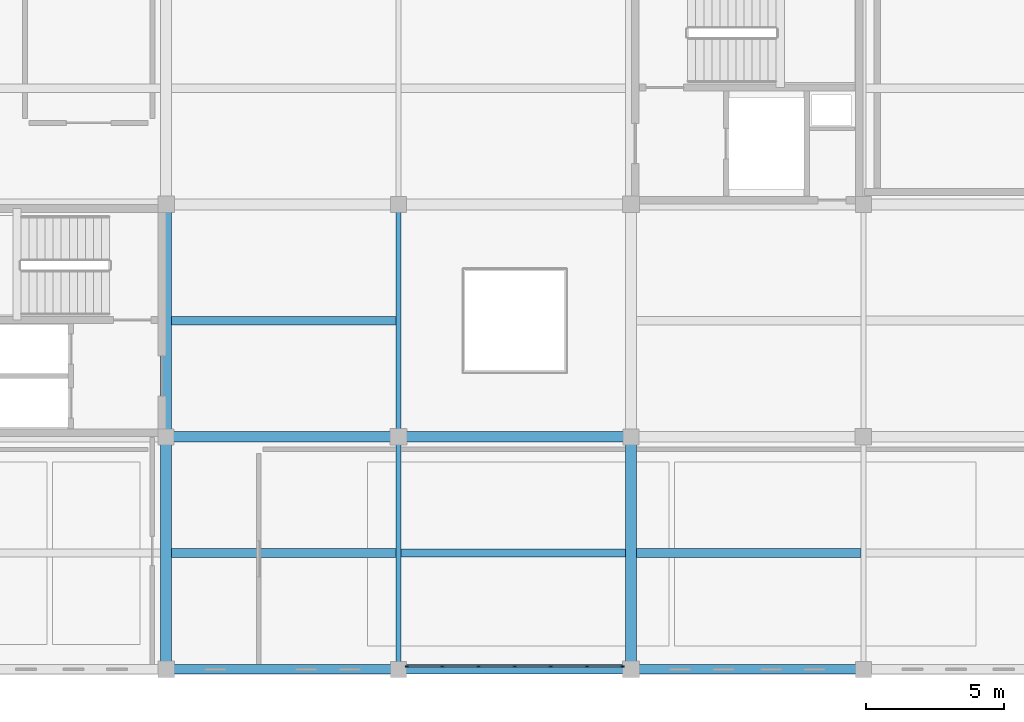
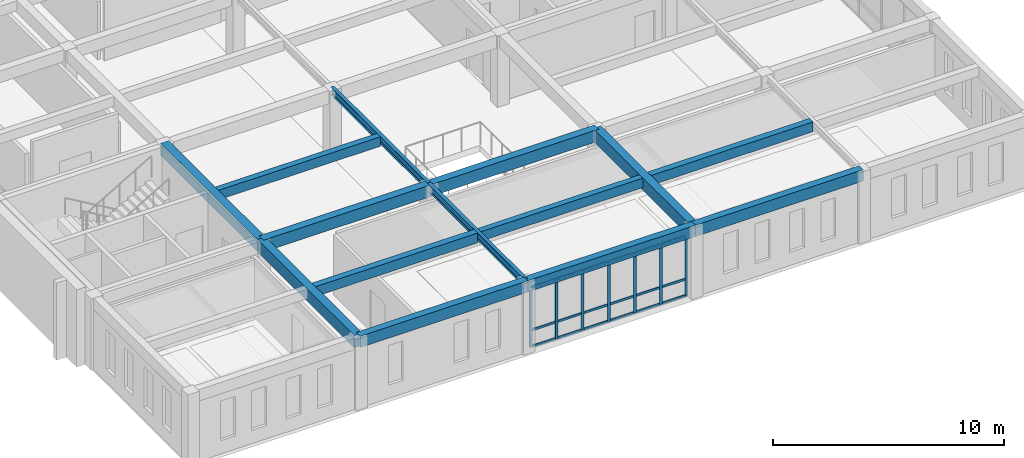
# One storey, part 3 of 56: 25 members, 14 beams, 1 element without a shape of its own.
"""IFC4 building model written with IfcOpenShell, lengths in metres."""

import ifcopenshell
import ifcopenshell.guid

model = None  # the IFC model being written
_history = None  # IfcOwnerHistory: only IFC2X3 demands one
_inside = {}  # id of a spatial element -> (the spatial element, [elements in it])
_under = {}  # id of a project, library or spatial element -> (it, [spatial elements below it])
_declared = {}  # id of a project -> (the project, [libraries it declares])
_typed = {}  # id of a type object -> (the type object, [elements of that type])
_made_of = {}  # id of a material, layer set ... -> (it, [elements and type objects made of it])


def new_model(schema):
    """Start an empty IFC model of exactly this schema.

    Asked for "IFC4X3", IfcOpenShell would pick the latest addendum, in which some entities
    have other attributes; the version numbers below select the first issue.
    IFC2X3 requires an IfcOwnerHistory on every rooted entity: one is made here for all.
    """
    global model, _history
    if schema == "IFC4X3":
        model = ifcopenshell.file(schema_version=(4, 3, 0, 0))
    else:
        model = ifcopenshell.file(schema=schema)
    _inside.clear()
    _under.clear()
    _declared.clear()
    _typed.clear()
    _made_of.clear()
    _history = None
    if model.schema == "IFC2X3":
        org = make("IfcOrganization", Name="unknown")
        user = make(
            "IfcPersonAndOrganization",
            ThePerson=make("IfcPerson", FamilyName="unknown"),
            TheOrganization=org,
        )
        app = make(
            "IfcApplication",
            ApplicationDeveloper=org,
            Version="unknown",
            ApplicationFullName="unknown",
            ApplicationIdentifier="unknown",
        )
        _history = make(
            "IfcOwnerHistory",
            OwningUser=user,
            OwningApplication=app,
            ChangeAction="ADDED",
            CreationDate=0,
        )
    return model


def make(cls, **values):
    """One entity of the class cls with the attributes given. An attribute that is None is left unset."""
    return model.create_entity(
        cls, **{name: value for name, value in values.items() if value is not None}
    )


def rooted(cls, **values):
    """An entity with a GlobalId (a new one), such as an element, a storey or a relation."""
    return make(cls, GlobalId=ifcopenshell.guid.new(), OwnerHistory=_history, **values)


def si_unit(unit_type, name, prefix=None):
    """IfcSIUnit, for example si_unit("LENGTHUNIT", "METRE", prefix="MILLI")."""
    return make("IfcSIUnit", UnitType=unit_type, Prefix=prefix, Name=name)


def assignment(units):
    """IfcUnitAssignment: the units of a project."""
    return None if units is None else make("IfcUnitAssignment", Units=units)


def point(xyz):
    """IfcCartesianPoint."""
    return None if xyz is None else make("IfcCartesianPoint", Coordinates=xyz)


def direction(xyz):
    """IfcDirection."""
    return None if xyz is None else make("IfcDirection", DirectionRatios=xyz)


def frame(location, z_axis=None, x_axis=None):
    """IfcAxis2Placement3D, a coordinate frame: its origin and axes. An axis left out is left unset."""
    return make(
        "IfcAxis2Placement3D",
        Location=point(location),
        Axis=direction(z_axis),
        RefDirection=direction(x_axis),
    )


def frame_2d(location, x_axis=None):
    """IfcAxis2Placement2D, a coordinate frame in the plane: its origin and x axis."""
    return make(
        "IfcAxis2Placement2D", Location=point(location), RefDirection=direction(x_axis)
    )


def origin():
    """The frame at (0, 0, 0) with its axes left unset."""
    return frame((0.0, 0.0, 0.0))


def origin_2d():
    """The frame at (0, 0) in the plane with its x axis left unset."""
    return frame_2d((0.0, 0.0))


def place(relative_to, where):
    """IfcLocalPlacement: puts the frame where relative to a parent placement (None: the world)."""
    return make(
        "IfcLocalPlacement", PlacementRelTo=relative_to, RelativePlacement=where
    )


def context(
    kind, dimensions, precision=None, world=None, true_north=None, identifier=None
):
    """IfcGeometricRepresentationContext, for example the 3D "Model" context."""
    return make(
        "IfcGeometricRepresentationContext",
        ContextIdentifier=identifier,
        ContextType=kind,
        CoordinateSpaceDimension=dimensions,
        Precision=precision,
        WorldCoordinateSystem=world,
        TrueNorth=true_north,
    )


def subcontext(parent, identifier, kind, view, scale=None):
    """IfcGeometricRepresentationSubContext, for example "Body" below "Model"."""
    return make(
        "IfcGeometricRepresentationSubContext",
        ContextIdentifier=identifier,
        ContextType=kind,
        ParentContext=parent,
        TargetScale=scale,
        TargetView=view,
    )


def project(units=None, contexts=None):
    """IfcProject with its units and contexts."""
    return rooted(
        "IfcProject",
        Name="project",
        RepresentationContexts=contexts,
        UnitsInContext=assignment(units),
    )


def spatial(cls, under=None, at=None, **own):
    """A site, building, storey or space (cls), placed at a placement, below another one or the project."""
    s = rooted(cls, ObjectPlacement=at, **own)
    if under is not None:
        _under.setdefault(under.id(), (under, []))[1].append(s)
    return s


def profile(cls, at=None, kind="AREA", **sizes):
    """A parametric profile (cls). Its sizes go by their IFC names, for example OverallWidth=200.0."""
    return make(cls, ProfileType=kind, Position=at, **sizes)


def rectangle(**sizes):
    """IfcRectangleProfileDef."""
    return profile("IfcRectangleProfileDef", **sizes)


def i_section(**sizes):
    """IfcIShapeProfileDef."""
    return profile("IfcIShapeProfileDef", **sizes)


def extrude(swept, where, along, depth):
    """IfcExtrudedAreaSolid: the profile swept, set in the frame where, extruded along a direction by depth."""
    return make(
        "IfcExtrudedAreaSolid",
        SweptArea=swept,
        Position=where,
        ExtrudedDirection=direction(along),
        Depth=depth,
    )


def shape(context_of_items, identifier, shape_type, items):
    """IfcShapeRepresentation: the items that make up one representation, for example the "Body"."""
    return make(
        "IfcShapeRepresentation",
        ContextOfItems=context_of_items,
        RepresentationIdentifier=identifier,
        RepresentationType=shape_type,
        Items=items,
    )


def material(Name=None, Category=None):
    """IfcMaterial."""
    return make("IfcMaterial", Name=Name, Category=Category)


def layer(
    of_material, thickness, ventilated=None, Name=None, Category=None, Priority=None
):
    """IfcMaterialLayer: one layer of a wall or slab, of a material (None: an air gap)."""
    return make(
        "IfcMaterialLayer",
        Material=of_material,
        LayerThickness=thickness,
        IsVentilated=ventilated,
        Name=Name,
        Category=Category,
        Priority=Priority,
    )


def layer_set(layers, Name=None):
    """IfcMaterialLayerSet."""
    return make("IfcMaterialLayerSet", MaterialLayers=layers, LayerSetName=Name)


def material_profile(
    of_material, cross_section, Name=None, Category=None, Priority=None
):
    """IfcMaterialProfile: a cross section and its material."""
    return make(
        "IfcMaterialProfile",
        Name=Name,
        Material=of_material,
        Profile=cross_section,
        Priority=Priority,
        Category=Category,
    )


def profile_set(profiles, Name=None, composite=None):
    """IfcMaterialProfileSet."""
    return make(
        "IfcMaterialProfileSet",
        Name=Name,
        MaterialProfiles=profiles,
        CompositeProfile=composite,
    )


def made_of(thing, what):
    """Note that an element or type object is made of a material, layer set ...; save() writes the relation."""
    if what is not None:
        _made_of.setdefault(what.id(), (what, []))[1].append(thing)
    return thing


def type_object(cls, material=None, **own):
    """A type object (cls), such as IfcWallType, which elements share."""
    return made_of(rooted(cls, **own), material)


def element(
    cls,
    number,
    at=None,
    inside=None,
    cuts=None,
    type_object=None,
    material=None,
    context=None,
    identifier="Body",
    shape_type=None,
    held_by="IfcProductDefinitionShape",
    body=None,
    shapes=None,
    **own,
):
    """One element of the class cls, such as IfcWall. Its Tag is "e" and its number.

    at: its placement. inside: the storey or other place that contains it. cuts: it is an
    opening in that element (IfcRelVoidsElement). A single representation is given by context,
    identifier, shape_type and body (its items); several are given by shapes. held_by: the class
    of the entity that holds the representations. save() writes the other relations.
    """
    e = rooted(cls, Tag="e%d" % number, ObjectPlacement=at, **own)
    if body is not None:
        shapes = [shape(context, identifier, shape_type, body)]
    if shapes is not None:
        e.Representation = make(held_by, Representations=shapes)
    if inside is not None:
        _inside.setdefault(inside.id(), (inside, []))[1].append(e)
    if cuts is not None:
        rooted(
            "IfcRelVoidsElement", RelatingBuildingElement=cuts, RelatedOpeningElement=e
        )
    if type_object is not None:
        _typed.setdefault(type_object.id(), (type_object, []))[1].append(e)
    return made_of(e, material)


def aggregate(whole, parts):
    """IfcRelAggregates: a whole, such as a stair, and the parts it consists of."""
    return rooted("IfcRelAggregates", RelatingObject=whole, RelatedObjects=parts)


def save(model, path):
    """Write the relations noted so far, then the file.

    IfcRelAggregates (storeys below a building ...), IfcRelContainedInSpatialStructure (elements
    in a storey), IfcRelDefinesByType, IfcRelAssociatesMaterial and IfcRelDeclares: one each for
    every whole, place, type object, material and project.
    """
    for whole, parts in _under.values():
        aggregate(whole, parts)
    for where, things in _inside.values():
        rooted(
            "IfcRelContainedInSpatialStructure",
            RelatedElements=things,
            RelatingStructure=where,
        )
    for kind, things in _typed.values():
        rooted("IfcRelDefinesByType", RelatedObjects=things, RelatingType=kind)
    for what, things in _made_of.values():
        rooted("IfcRelAssociatesMaterial", RelatedObjects=things, RelatingMaterial=what)
    for by, libraries in _declared.values():
        rooted("IfcRelDeclares", RelatingContext=by, RelatedDefinitions=libraries)
    model.write(path)


model = new_model("IFC4")

# Units and contexts
model_context = context("Model", 3, precision=1e-05, world=origin(), true_north=direction((0.0, 1.0)))
body_context = subcontext(model_context, "Body", "Model", "MODEL_VIEW")
ifc_project = project(units=[si_unit("LENGTHUNIT", "METRE"), si_unit("AREAUNIT", "SQUARE_METRE"), si_unit("VOLUMEUNIT", "CUBIC_METRE"), si_unit("PLANEANGLEUNIT", "RADIAN"), si_unit("MASSUNIT", "GRAM", prefix="KILO")], contexts=[model_context])

# Site, building, storey
site_placement = place(None, origin())
site = spatial("IfcSite", under=ifc_project, at=site_placement, CompositionType="ELEMENT")
building_placement = place(site_placement, origin())
building = spatial("IfcBuilding", under=site, at=building_placement, Name="Kveldsbrygga Polytechnic", CompositionType="ELEMENT")
storey_placement = place(building_placement, frame((0.0, 0.0, 18.02001953125)))
storey = spatial("IfcBuildingStorey", under=building, at=storey_placement, Name="L04", CompositionType="ELEMENT", Elevation=18.02001953125)

# Beams
ifc_material_1 = material(Name="Concrete C35/45", Category="concrete")
ifc_material_profile_1 = material_profile(ifc_material_1, rectangle(XDim=0.3798828125, YDim=0.6201171875, at=origin_2d()), Name="RC 380x620")
ifc_profile_set_1 = profile_set([ifc_material_profile_1], Name="Concrete C35/45")
beam_type_1 = type_object("IfcBeamType", Name="BM-RC-380x620", PredefinedType="BEAM", material=ifc_profile_set_1)
beam_1_placement = place(storey_placement, frame((134.39990234375, 25.199951171875, 3.469970703125), z_axis=(1.0, 0.0, 0.0), x_axis=(0.0, 1.0, 0.0)))
element("IfcBeam", 1, at=beam_1_placement, inside=storey, type_object=beam_type_1, Name="Primary Beam BMX-L04-16to17-03", PredefinedType="BEAM", context=body_context, shape_type="SweptSolid", body=[
    extrude(rectangle(XDim=0.3798828125, YDim=0.6201171875, at=origin_2d()), origin(), (0.0, 0.0, 1.0), 8.400146484375),
])
beam_2_placement = place(storey_placement, frame((142.800048828125, 25.199951171875, 3.469970703125), z_axis=(1.0, 0.0, 0.0), x_axis=(0.0, 1.0, 0.0)))
element("IfcBeam", 2, at=beam_2_placement, inside=storey, type_object=beam_type_1, Name="Primary Beam BMX-L04-17to18-03", PredefinedType="BEAM", context=body_context, shape_type="SweptSolid", body=[
    extrude(rectangle(XDim=0.3798828125, YDim=0.6201171875, at=origin_2d()), origin(), (0.0, 0.0, 1.0), 8.39990234375),
])
ifc_material_profile_2 = material_profile(ifc_material_1, rectangle(XDim=0.39990234375, YDim=0.64990234375, at=origin_2d()), Name="RC 400x650")
ifc_profile_set_2 = profile_set([ifc_material_profile_2], Name="Concrete C35/45")
beam_type_2 = type_object("IfcBeamType", Name="BM-RC-400x650", PredefinedType="BEAM", material=ifc_profile_set_2)
beam_3_placement = place(storey_placement, frame((134.39990234375, 16.800048828125, 3.455078125), z_axis=(0.0, 1.0, 0.0), x_axis=(-1.0, 0.0, 0.0)))
element("IfcBeam", 3, at=beam_3_placement, inside=storey, type_object=beam_type_2, Name="Primary Beam BMY-L04-16-02to03", PredefinedType="BEAM", context=body_context, shape_type="SweptSolid", body=[
    extrude(rectangle(XDim=0.39990234375, YDim=0.64990234375, at=origin_2d()), origin(), (0.0, 0.0, 1.0), 8.39990234375),
])
beam_4_placement = place(storey_placement, frame((134.39990234375, 25.199951171875, 3.455078125), z_axis=(0.0, 1.0, 0.0), x_axis=(-1.0, 0.0, 0.0)))
element("IfcBeam", 4, at=beam_4_placement, inside=storey, type_object=beam_type_2, Name="Primary Beam BMY-L04-16-03to04", PredefinedType="BEAM", context=body_context, shape_type="SweptSolid", body=[
    extrude(rectangle(XDim=0.39990234375, YDim=0.64990234375, at=origin_2d()), origin(), (0.0, 0.0, 1.0), 8.400146484375),
])
beam_5_placement = place(storey_placement, frame((151.199951171875, 16.800048828125, 3.455078125), z_axis=(0.0, 1.0, 0.0), x_axis=(-1.0, 0.0, 0.0)))
element("IfcBeam", 5, at=beam_5_placement, inside=storey, type_object=beam_type_2, Name="Primary Beam BMY-L04-18-02to03", PredefinedType="BEAM", context=body_context, shape_type="SweptSolid", body=[
    extrude(rectangle(XDim=0.39990234375, YDim=0.64990234375, at=origin_2d()), origin(), (0.0, 0.0, 1.0), 8.39990234375),
])
ifc_material_profile_3 = material_profile(ifc_material_1, rectangle(XDim=0.35009765625, YDim=0.60009765625, at=origin_2d()), Name="RC 350x600")
ifc_profile_set_3 = profile_set([ifc_material_profile_3], Name="Concrete C35/45")
beam_type_3 = type_object("IfcBeamType", Name="BM-SPANDREL-600", PredefinedType="T_BEAM", material=ifc_profile_set_3)
beam_6_placement = place(storey_placement, frame((134.39990234375, 16.800048828125, 3.47998046875), z_axis=(1.0, 0.0, 0.0), x_axis=(0.0, 1.0, 0.0)))
element("IfcBeam", 6, at=beam_6_placement, inside=storey, type_object=beam_type_3, Name="Primary Beam BMX-L04-16to17-02", PredefinedType="T_BEAM", context=body_context, shape_type="SweptSolid", body=[
    extrude(rectangle(XDim=0.35009765625, YDim=0.60009765625, at=origin_2d()), origin(), (0.0, 0.0, 1.0), 8.400146484375),
])
beam_7_placement = place(storey_placement, frame((142.800048828125, 16.800048828125, 3.47998046875), z_axis=(1.0, 0.0, 0.0), x_axis=(0.0, 1.0, 0.0)))
element("IfcBeam", 7, at=beam_7_placement, inside=storey, type_object=beam_type_3, Name="Primary Beam BMX-L04-17to18-02", PredefinedType="T_BEAM", context=body_context, shape_type="SweptSolid", body=[
    extrude(rectangle(XDim=0.35009765625, YDim=0.60009765625, at=origin_2d()), origin(), (0.0, 0.0, 1.0), 8.39990234375),
])
beam_8_placement = place(storey_placement, frame((151.199951171875, 16.800048828125, 3.47998046875), z_axis=(1.0, 0.0, 0.0), x_axis=(0.0, 1.0, 0.0)))
element("IfcBeam", 8, at=beam_8_placement, inside=storey, type_object=beam_type_3, Name="Primary Beam BMX-L04-18to19-02", PredefinedType="T_BEAM", context=body_context, shape_type="SweptSolid", body=[
    extrude(rectangle(XDim=0.35009765625, YDim=0.60009765625, at=origin_2d()), origin(), (0.0, 0.0, 1.0), 8.400146484375),
])
ifc_material_2 = material(Name="Steel S355", Category="steel")
ifc_material_profile_4 = material_profile(ifc_material_2, i_section(OverallWidth=0.179931640625, OverallDepth=0.39990234375, WebThickness=0.008544921875, FlangeThickness=0.013427734375, FilletRadius=0.02099609375, at=origin_2d()), Name="IPE 400")
ifc_profile_set_4 = profile_set([ifc_material_profile_4], Name="Steel S355")
beam_type_4 = type_object("IfcBeamType", Name="BM-STL-IPE400", PredefinedType="BEAM", material=ifc_profile_set_4)
beam_9_placement = place(storey_placement, frame((142.800048828125, 16.800048828125, 3.580078125), z_axis=(0.0, 1.0, 0.0), x_axis=(-1.0, 0.0, 0.0)))
element("IfcBeam", 9, at=beam_9_placement, inside=storey, type_object=beam_type_4, Name="Primary Beam BMY-L04-17-02to03", PredefinedType="BEAM", context=body_context, shape_type="SweptSolid", body=[
    extrude(i_section(OverallWidth=0.179931640625, OverallDepth=0.39990234375, WebThickness=0.008544921875, FlangeThickness=0.013427734375, FilletRadius=0.02099609375, at=origin_2d()), origin(), (0.0, 0.0, 1.0), 8.39990234375),
])
beam_10_placement = place(storey_placement, frame((142.800048828125, 25.199951171875, 3.580078125), z_axis=(0.0, 1.0, 0.0), x_axis=(-1.0, 0.0, 0.0)))
element("IfcBeam", 10, at=beam_10_placement, inside=storey, type_object=beam_type_4, Name="Primary Beam BMY-L04-17-03to04", PredefinedType="BEAM", context=body_context, shape_type="SweptSolid", body=[
    extrude(i_section(OverallWidth=0.179931640625, OverallDepth=0.39990234375, WebThickness=0.008544921875, FlangeThickness=0.013427734375, FilletRadius=0.02099609375, at=origin_2d()), origin(), (0.0, 0.0, 1.0), 8.400146484375),
])

# Curtain wall, members
ifc_material_3 = material(Name="Anodised aluminium AW-6060", Category="aluminium")
ifc_layer = layer(ifc_material_3, 0.179931640625)
ifc_layer_set = layer_set([ifc_layer], Name="Anodised aluminium AW-6060")
curtain_wall_type = type_object("IfcCurtainWallType", Name="CW-CONC-A", PredefinedType="USERDEFINED", material=ifc_layer_set)
curtain_wall_placement = place(storey_placement, origin())
curtain_wall = element("IfcCurtainWall", 11, at=curtain_wall_placement, inside=storey, type_object=curtain_wall_type, Name="Curtain Wall CW-L04-X-17-02", ObjectType="UNITISED CURTAIN WALL", PredefinedType="USERDEFINED")
ifc_material_profile_5 = material_profile(ifc_material_3, rectangle(XDim=0.06005859375, YDim=0.139892578125, at=origin_2d()), Name="ALU 60x140")
ifc_profile_set_5 = profile_set([ifc_material_profile_5], Name="Anodised aluminium AW-6060")
member_type_1 = type_object("IfcMemberType", Name="CW-MUL-140", PredefinedType="MULLION", material=ifc_profile_set_5)
member_1_placement = place(storey_placement, frame((143.10498046875, 16.89990234375, 0.0), z_axis=(0.0, 0.0, 1.0), x_axis=(0.0, 1.0, 0.0)))
member_1 = element("IfcMember", 12, at=member_1_placement, type_object=member_type_1, Name="CW-01 mullion 1", PredefinedType="MULLION", context=body_context, shape_type="SweptSolid", body=[
    extrude(rectangle(XDim=0.06005859375, YDim=0.139892578125, at=origin_2d()), origin(), (0.0, 0.0, 1.0), 3.179931640625),
])
member_2_placement = place(storey_placement, frame((144.381591796875, 16.89990234375, 0.0), z_axis=(0.0, 0.0, 1.0), x_axis=(0.0, 1.0, 0.0)))
member_2 = element("IfcMember", 13, at=member_2_placement, type_object=member_type_1, Name="CW-01 mullion 2", PredefinedType="MULLION", context=body_context, shape_type="SweptSolid", body=[
    extrude(rectangle(XDim=0.06005859375, YDim=0.139892578125, at=origin_2d()), origin(), (0.0, 0.0, 1.0), 3.179931640625),
])
member_3_placement = place(storey_placement, frame((145.688232421875, 16.89990234375, 0.0), z_axis=(0.0, 0.0, 1.0), x_axis=(0.0, 1.0, 0.0)))
member_3 = element("IfcMember", 14, at=member_3_placement, type_object=member_type_1, Name="CW-01 mullion 3", PredefinedType="MULLION", context=body_context, shape_type="SweptSolid", body=[
    extrude(rectangle(XDim=0.06005859375, YDim=0.139892578125, at=origin_2d()), origin(), (0.0, 0.0, 1.0), 3.179931640625),
])
member_4_placement = place(storey_placement, frame((146.9951171875, 16.89990234375, 0.0), z_axis=(0.0, 0.0, 1.0), x_axis=(0.0, 1.0, 0.0)))
member_4 = element("IfcMember", 15, at=member_4_placement, type_object=member_type_1, Name="CW-01 mullion 4", PredefinedType="MULLION", context=body_context, shape_type="SweptSolid", body=[
    extrude(rectangle(XDim=0.06005859375, YDim=0.139892578125, at=origin_2d()), origin(), (0.0, 0.0, 1.0), 3.179931640625),
])
member_5_placement = place(storey_placement, frame((148.3017578125, 16.89990234375, 0.0), z_axis=(0.0, 0.0, 1.0), x_axis=(0.0, 1.0, 0.0)))
member_5 = element("IfcMember", 16, at=member_5_placement, type_object=member_type_1, Name="CW-01 mullion 5", PredefinedType="MULLION", context=body_context, shape_type="SweptSolid", body=[
    extrude(rectangle(XDim=0.06005859375, YDim=0.139892578125, at=origin_2d()), origin(), (0.0, 0.0, 1.0), 3.179931640625),
])
member_6_placement = place(storey_placement, frame((149.6083984375, 16.89990234375, 0.0), z_axis=(0.0, 0.0, 1.0), x_axis=(0.0, 1.0, 0.0)))
member_6 = element("IfcMember", 17, at=member_6_placement, type_object=member_type_1, Name="CW-01 mullion 6", PredefinedType="MULLION", context=body_context, shape_type="SweptSolid", body=[
    extrude(rectangle(XDim=0.06005859375, YDim=0.139892578125, at=origin_2d()), origin(), (0.0, 0.0, 1.0), 3.179931640625),
])
member_7_placement = place(storey_placement, frame((150.885009765625, 16.89990234375, 0.0), z_axis=(0.0, 0.0, 1.0), x_axis=(0.0, 1.0, 0.0)))
member_7 = element("IfcMember", 18, at=member_7_placement, type_object=member_type_1, Name="CW-01 mullion 7", PredefinedType="MULLION", context=body_context, shape_type="SweptSolid", body=[
    extrude(rectangle(XDim=0.06005859375, YDim=0.139892578125, at=origin_2d()), origin(), (0.0, 0.0, 1.0), 3.179931640625),
])
ifc_material_profile_6 = material_profile(ifc_material_3, rectangle(XDim=0.06005859375, YDim=0.1201171875, at=origin_2d()), Name="ALU 60x120")
ifc_profile_set_6 = profile_set([ifc_material_profile_6], Name="Anodised aluminium AW-6060")
member_type_2 = type_object("IfcMemberType", Name="CW-TRN-120", PredefinedType="USERDEFINED", material=ifc_profile_set_6)
member_8_placement = place(storey_placement, frame((143.135009765625, 16.89990234375, 0.030029296875), z_axis=(1.0, 0.0, 0.0), x_axis=(0.0, 1.0, 0.0)))
member_8 = element("IfcMember", 19, at=member_8_placement, type_object=member_type_2, Name="CW-01 transom 1.1", ObjectType="TRANSOM", PredefinedType="USERDEFINED", context=body_context, shape_type="SweptSolid", body=[
    extrude(rectangle(XDim=0.06005859375, YDim=0.1201171875, at=origin_2d()), origin(), (0.0, 0.0, 1.0), 1.216552734375),
])
member_9_placement = place(storey_placement, frame((143.135009765625, 16.89990234375, 0.89990234375), z_axis=(1.0, 0.0, 0.0), x_axis=(0.0, 1.0, 0.0)))
member_9 = element("IfcMember", 20, at=member_9_placement, type_object=member_type_2, Name="CW-01 transom 1.2", ObjectType="TRANSOM", PredefinedType="USERDEFINED", context=body_context, shape_type="SweptSolid", body=[
    extrude(rectangle(XDim=0.06005859375, YDim=0.1201171875, at=origin_2d()), origin(), (0.0, 0.0, 1.0), 1.216552734375),
])
member_10_placement = place(storey_placement, frame((143.135009765625, 16.89990234375, 3.14990234375), z_axis=(1.0, 0.0, 0.0), x_axis=(0.0, 1.0, 0.0)))
member_10 = element("IfcMember", 21, at=member_10_placement, type_object=member_type_2, Name="CW-01 transom 1.3", ObjectType="TRANSOM", PredefinedType="USERDEFINED", context=body_context, shape_type="SweptSolid", body=[
    extrude(rectangle(XDim=0.06005859375, YDim=0.1201171875, at=origin_2d()), origin(), (0.0, 0.0, 1.0), 1.216552734375),
])
member_11_placement = place(storey_placement, frame((144.41162109375, 16.89990234375, 0.030029296875), z_axis=(1.0, 0.0, 0.0), x_axis=(0.0, 1.0, 0.0)))
member_11 = element("IfcMember", 22, at=member_11_placement, type_object=member_type_2, Name="CW-01 transom 2.1", ObjectType="TRANSOM", PredefinedType="USERDEFINED", context=body_context, shape_type="SweptSolid", body=[
    extrude(rectangle(XDim=0.06005859375, YDim=0.1201171875, at=origin_2d()), origin(), (0.0, 0.0, 1.0), 1.246826171875),
])
member_12_placement = place(storey_placement, frame((144.41162109375, 16.89990234375, 0.89990234375), z_axis=(1.0, 0.0, 0.0), x_axis=(0.0, 1.0, 0.0)))
member_12 = element("IfcMember", 23, at=member_12_placement, type_object=member_type_2, Name="CW-01 transom 2.2", ObjectType="TRANSOM", PredefinedType="USERDEFINED", context=body_context, shape_type="SweptSolid", body=[
    extrude(rectangle(XDim=0.06005859375, YDim=0.1201171875, at=origin_2d()), origin(), (0.0, 0.0, 1.0), 1.246826171875),
])
member_13_placement = place(storey_placement, frame((144.41162109375, 16.89990234375, 3.14990234375), z_axis=(1.0, 0.0, 0.0), x_axis=(0.0, 1.0, 0.0)))
member_13 = element("IfcMember", 24, at=member_13_placement, type_object=member_type_2, Name="CW-01 transom 2.3", ObjectType="TRANSOM", PredefinedType="USERDEFINED", context=body_context, shape_type="SweptSolid", body=[
    extrude(rectangle(XDim=0.06005859375, YDim=0.1201171875, at=origin_2d()), origin(), (0.0, 0.0, 1.0), 1.246826171875),
])
member_14_placement = place(storey_placement, frame((145.71826171875, 16.89990234375, 0.030029296875), z_axis=(1.0, 0.0, 0.0), x_axis=(0.0, 1.0, 0.0)))
member_14 = element("IfcMember", 25, at=member_14_placement, type_object=member_type_2, Name="CW-01 transom 3.1", ObjectType="TRANSOM", PredefinedType="USERDEFINED", context=body_context, shape_type="SweptSolid", body=[
    extrude(rectangle(XDim=0.06005859375, YDim=0.1201171875, at=origin_2d()), origin(), (0.0, 0.0, 1.0), 1.246826171875),
])
member_15_placement = place(storey_placement, frame((145.71826171875, 16.89990234375, 0.89990234375), z_axis=(1.0, 0.0, 0.0), x_axis=(0.0, 1.0, 0.0)))
member_15 = element("IfcMember", 26, at=member_15_placement, type_object=member_type_2, Name="CW-01 transom 3.2", ObjectType="TRANSOM", PredefinedType="USERDEFINED", context=body_context, shape_type="SweptSolid", body=[
    extrude(rectangle(XDim=0.06005859375, YDim=0.1201171875, at=origin_2d()), origin(), (0.0, 0.0, 1.0), 1.246826171875),
])
member_16_placement = place(storey_placement, frame((145.71826171875, 16.89990234375, 3.14990234375), z_axis=(1.0, 0.0, 0.0), x_axis=(0.0, 1.0, 0.0)))
member_16 = element("IfcMember", 27, at=member_16_placement, type_object=member_type_2, Name="CW-01 transom 3.3", ObjectType="TRANSOM", PredefinedType="USERDEFINED", context=body_context, shape_type="SweptSolid", body=[
    extrude(rectangle(XDim=0.06005859375, YDim=0.1201171875, at=origin_2d()), origin(), (0.0, 0.0, 1.0), 1.246826171875),
])
member_17_placement = place(storey_placement, frame((147.02490234375, 16.89990234375, 0.030029296875), z_axis=(1.0, 0.0, 0.0), x_axis=(0.0, 1.0, 0.0)))
member_17 = element("IfcMember", 28, at=member_17_placement, type_object=member_type_2, Name="CW-01 transom 4.1", ObjectType="TRANSOM", PredefinedType="USERDEFINED", context=body_context, shape_type="SweptSolid", body=[
    extrude(rectangle(XDim=0.06005859375, YDim=0.1201171875, at=origin_2d()), origin(), (0.0, 0.0, 1.0), 1.246826171875),
])
member_18_placement = place(storey_placement, frame((147.02490234375, 16.89990234375, 0.89990234375), z_axis=(1.0, 0.0, 0.0), x_axis=(0.0, 1.0, 0.0)))
member_18 = element("IfcMember", 29, at=member_18_placement, type_object=member_type_2, Name="CW-01 transom 4.2", ObjectType="TRANSOM", PredefinedType="USERDEFINED", context=body_context, shape_type="SweptSolid", body=[
    extrude(rectangle(XDim=0.06005859375, YDim=0.1201171875, at=origin_2d()), origin(), (0.0, 0.0, 1.0), 1.246826171875),
])
member_19_placement = place(storey_placement, frame((147.02490234375, 16.89990234375, 3.14990234375), z_axis=(1.0, 0.0, 0.0), x_axis=(0.0, 1.0, 0.0)))
member_19 = element("IfcMember", 30, at=member_19_placement, type_object=member_type_2, Name="CW-01 transom 4.3", ObjectType="TRANSOM", PredefinedType="USERDEFINED", context=body_context, shape_type="SweptSolid", body=[
    extrude(rectangle(XDim=0.06005859375, YDim=0.1201171875, at=origin_2d()), origin(), (0.0, 0.0, 1.0), 1.246826171875),
])
member_20_placement = place(storey_placement, frame((148.331787109375, 16.89990234375, 0.030029296875), z_axis=(1.0, 0.0, 0.0), x_axis=(0.0, 1.0, 0.0)))
member_20 = element("IfcMember", 31, at=member_20_placement, type_object=member_type_2, Name="CW-01 transom 5.1", ObjectType="TRANSOM", PredefinedType="USERDEFINED", context=body_context, shape_type="SweptSolid", body=[
    extrude(rectangle(XDim=0.06005859375, YDim=0.1201171875, at=origin_2d()), origin(), (0.0, 0.0, 1.0), 1.24658203125),
])
member_21_placement = place(storey_placement, frame((148.331787109375, 16.89990234375, 0.89990234375), z_axis=(1.0, 0.0, 0.0), x_axis=(0.0, 1.0, 0.0)))
member_21 = element("IfcMember", 32, at=member_21_placement, type_object=member_type_2, Name="CW-01 transom 5.2", ObjectType="TRANSOM", PredefinedType="USERDEFINED", context=body_context, shape_type="SweptSolid", body=[
    extrude(rectangle(XDim=0.06005859375, YDim=0.1201171875, at=origin_2d()), origin(), (0.0, 0.0, 1.0), 1.24658203125),
])
member_22_placement = place(storey_placement, frame((148.331787109375, 16.89990234375, 3.14990234375), z_axis=(1.0, 0.0, 0.0), x_axis=(0.0, 1.0, 0.0)))
member_22 = element("IfcMember", 33, at=member_22_placement, type_object=member_type_2, Name="CW-01 transom 5.3", ObjectType="TRANSOM", PredefinedType="USERDEFINED", context=body_context, shape_type="SweptSolid", body=[
    extrude(rectangle(XDim=0.06005859375, YDim=0.1201171875, at=origin_2d()), origin(), (0.0, 0.0, 1.0), 1.24658203125),
])
member_23_placement = place(storey_placement, frame((149.638427734375, 16.89990234375, 0.030029296875), z_axis=(1.0, 0.0, 0.0), x_axis=(0.0, 1.0, 0.0)))
member_23 = element("IfcMember", 34, at=member_23_placement, type_object=member_type_2, Name="CW-01 transom 6.1", ObjectType="TRANSOM", PredefinedType="USERDEFINED", context=body_context, shape_type="SweptSolid", body=[
    extrude(rectangle(XDim=0.06005859375, YDim=0.1201171875, at=origin_2d()), origin(), (0.0, 0.0, 1.0), 1.216552734375),
])
member_24_placement = place(storey_placement, frame((149.638427734375, 16.89990234375, 0.89990234375), z_axis=(1.0, 0.0, 0.0), x_axis=(0.0, 1.0, 0.0)))
member_24 = element("IfcMember", 35, at=member_24_placement, type_object=member_type_2, Name="CW-01 transom 6.2", ObjectType="TRANSOM", PredefinedType="USERDEFINED", context=body_context, shape_type="SweptSolid", body=[
    extrude(rectangle(XDim=0.06005859375, YDim=0.1201171875, at=origin_2d()), origin(), (0.0, 0.0, 1.0), 1.216552734375),
])
member_25_placement = place(storey_placement, frame((149.638427734375, 16.89990234375, 3.14990234375), z_axis=(1.0, 0.0, 0.0), x_axis=(0.0, 1.0, 0.0)))
member_25 = element("IfcMember", 36, at=member_25_placement, type_object=member_type_2, Name="CW-01 transom 6.3", ObjectType="TRANSOM", PredefinedType="USERDEFINED", context=body_context, shape_type="SweptSolid", body=[
    extrude(rectangle(XDim=0.06005859375, YDim=0.1201171875, at=origin_2d()), origin(), (0.0, 0.0, 1.0), 1.216552734375),
])
aggregate(curtain_wall, [member_1, member_2, member_3, member_4, member_5, member_6, member_7, member_8, member_9, member_10, member_11, member_12, member_13, member_14, member_15, member_16, member_17, member_18, member_19, member_20, member_21, member_22, member_23, member_24, member_25])

# Beams
ifc_material_profile_7 = material_profile(ifc_material_1, rectangle(XDim=0.300048828125, YDim=0.5, at=origin_2d()), Name="RC 300x500")
ifc_profile_set_7 = profile_set([ifc_material_profile_7], Name="Concrete C35/45")
beam_type_5 = type_object("IfcBeamType", Name="JST-RC-300x500", PredefinedType="JOIST", material=ifc_profile_set_7)
beam_11_placement = place(storey_placement, frame((134.60009765625, 29.39990234375, 3.530029296875), z_axis=(1.0, 0.0, 0.0), x_axis=(0.0, 1.0, 0.0)))
element("IfcBeam", 37, at=beam_11_placement, inside=storey, type_object=beam_type_5, Name="Secondary Joist JST-L04-16-03", PredefinedType="JOIST", context=body_context, shape_type="SweptSolid", body=[
    extrude(rectangle(XDim=0.300048828125, YDim=0.5, at=origin_2d()), origin(), (0.0, 0.0, 1.0), 8.10986328125),
])
beam_12_placement = place(storey_placement, frame((142.889892578125, 21.0, 3.530029296875), z_axis=(1.0, 0.0, 0.0), x_axis=(0.0, 1.0, 0.0)))
element("IfcBeam", 38, at=beam_12_placement, inside=storey, type_object=beam_type_5, Name="Secondary Joist JST-L04-17-02", PredefinedType="JOIST", context=body_context, shape_type="SweptSolid", body=[
    extrude(rectangle(XDim=0.300048828125, YDim=0.5, at=origin_2d()), origin(), (0.0, 0.0, 1.0), 8.110107421875),
])
ifc_material_profile_8 = material_profile(ifc_material_1, rectangle(XDim=0.320068359375, YDim=0.52001953125, at=origin_2d()), Name="RC 320x520")
ifc_profile_set_8 = profile_set([ifc_material_profile_8], Name="Concrete C35/45")
beam_type_6 = type_object("IfcBeamType", Name="JST-RC-320x520", PredefinedType="JOIST", material=ifc_profile_set_8)
beam_13_placement = place(storey_placement, frame((134.60009765625, 21.0, 3.52001953125), z_axis=(1.0, 0.0, 0.0), x_axis=(0.0, 1.0, 0.0)))
element("IfcBeam", 39, at=beam_13_placement, inside=storey, type_object=beam_type_6, Name="Secondary Joist JST-L04-16-02", PredefinedType="JOIST", context=body_context, shape_type="SweptSolid", body=[
    extrude(rectangle(XDim=0.320068359375, YDim=0.52001953125, at=origin_2d()), origin(), (0.0, 0.0, 1.0), 8.10986328125),
])
beam_14_placement = place(storey_placement, frame((151.39990234375, 21.0, 3.52001953125), z_axis=(1.0, 0.0, 0.0), x_axis=(0.0, 1.0, 0.0)))
element("IfcBeam", 40, at=beam_14_placement, inside=storey, type_object=beam_type_6, Name="Secondary Joist JST-L04-18-02", PredefinedType="JOIST", context=body_context, shape_type="SweptSolid", body=[
    extrude(rectangle(XDim=0.320068359375, YDim=0.52001953125, at=origin_2d()), origin(), (0.0, 0.0, 1.0), 8.110107421875),
])

save(model, "model.ifc")
